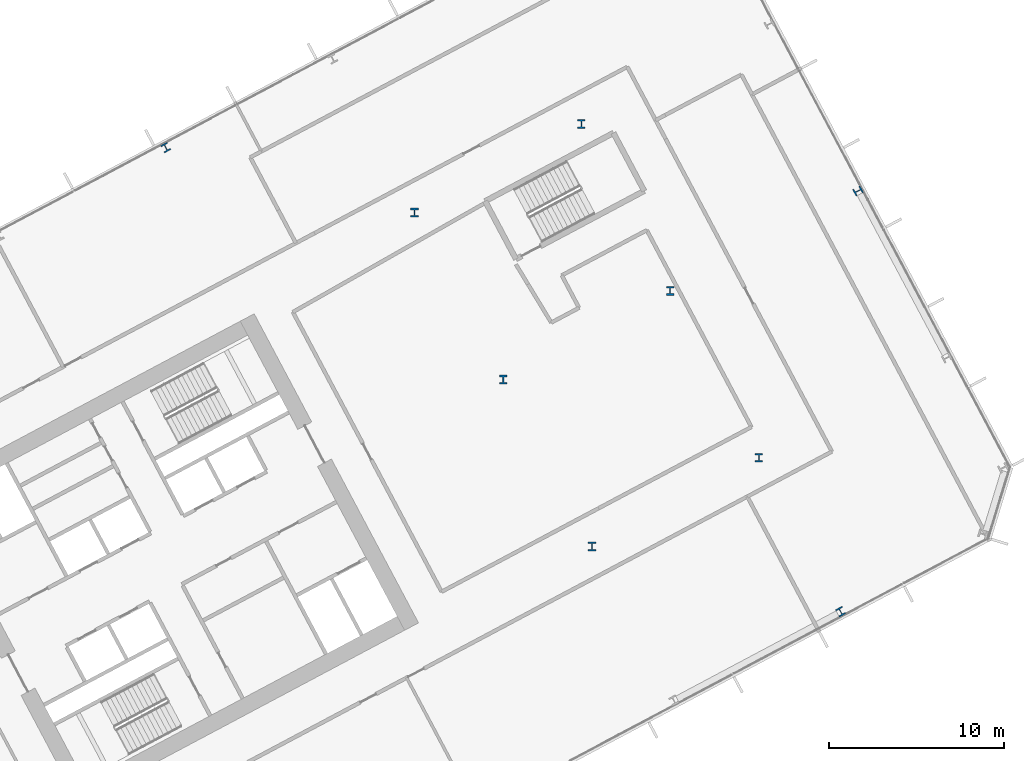
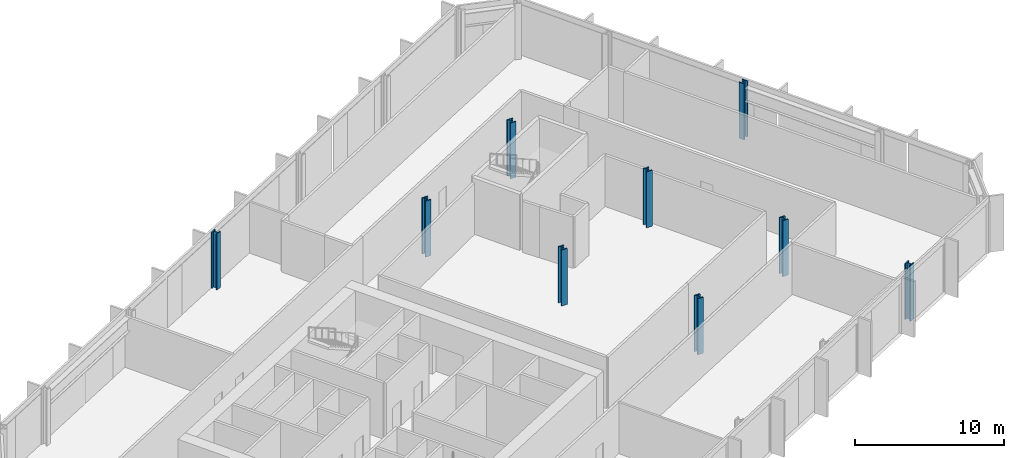
# One storey, part 4 of 30: 9 columns.
"""IFC4 building model written with IfcOpenShell, lengths in metres."""

from ifc_helpers import new_model, si_unit, direction, frame, origin, origin_2d, place, context, subcontext, project, spatial, i_section, extrude, material, material_profile, profile_set, type_object, element, save


model = new_model("IFC4")

# Units and contexts
model_context = context("Model", 3, precision=1e-05, world=origin(), true_north=direction((0.0, 1.0)))
body_context = subcontext(model_context, "Body", "Model", "MODEL_VIEW")
ifc_project = project(units=[si_unit("LENGTHUNIT", "METRE"), si_unit("AREAUNIT", "SQUARE_METRE"), si_unit("VOLUMEUNIT", "CUBIC_METRE"), si_unit("PLANEANGLEUNIT", "RADIAN"), si_unit("MASSUNIT", "GRAM", prefix="KILO")], contexts=[model_context])

# Site, building, storey
site_placement = place(None, origin())
site = spatial("IfcSite", under=ifc_project, at=site_placement, CompositionType="ELEMENT")
building_placement = place(site_placement, origin())
building = spatial("IfcBuilding", under=site, at=building_placement, Name="Cormorant Relay Tower", CompositionType="ELEMENT")
storey_placement = place(building_placement, frame((0.0, 0.0, 84.60009765625)))
storey = spatial("IfcBuildingStorey", under=building, at=storey_placement, Name="L16", CompositionType="ELEMENT", Elevation=84.60009765625)

# Columns
ifc_material_1 = material(Name="Steel ASTM A992 (Fy 345 MPa)", Category="steel")
ifc_material_profile_1 = material_profile(ifc_material_1, i_section(OverallWidth=0.42431640625, OverallDepth=0.47509765625, WebThickness=0.0478515625, FlangeThickness=0.0771484375, FilletRadius=0.014892578125, at=origin_2d()), Name="W360x634")
ifc_profile_set_1 = profile_set([ifc_material_profile_1], Name="Steel ASTM A992 (Fy 345 MPa)")
column_type_1 = type_object("IfcColumnType", Name="Column W360x634", PredefinedType="COLUMN", material=ifc_profile_set_1)
for number, where, z_axis, x_axis, name in (
    (1, (62.3701171875, 9.65087890625, 0.0), (0.0, 0.0, 1.0), (0.882947592859, 0.469471562786, 0.0), "Column L16-020"),
    (2, (63.360107421875, 33.68896484375, 0.0), (0.0, 0.0, 1.0), (-0.469471562786, 0.882947592859, 0.0), "Column L16-042"),
    (3, (23.805908203125, 36.169921875, 0.0), (0.0, 0.0, 1.0), (-0.882947592859, -0.469471562786, 0.0), "Column L16-044"),
):
    element("IfcColumn", number, at=place(storey_placement, frame(where, z_axis=z_axis, x_axis=x_axis)), inside=storey, type_object=column_type_1, Name=name, PredefinedType="COLUMN", context=body_context, shape_type="SweptSolid", body=[
        extrude(i_section(OverallWidth=0.42431640625, OverallDepth=0.47509765625, WebThickness=0.0478515625, FlangeThickness=0.0771484375, FilletRadius=0.014892578125, at=origin_2d()), origin(), (0.0, 0.0, 1.0), 4.599853515625),
    ])
ifc_material_2 = material(Name="Steel ASTM A992 (Fy 345 MPa)", Category="steel")
ifc_material_profile_2 = material_profile(ifc_material_2, i_section(OverallWidth=0.43701171875, OverallDepth=0.51318359375, WebThickness=0.060546875, FlangeThickness=0.096923828125, FilletRadius=0.015380859375, at=origin_2d()), Name="W360x818")
ifc_profile_set_2 = profile_set([ifc_material_profile_2], Name="Steel ASTM A992 (Fy 345 MPa)")
column_type_2 = type_object("IfcColumnType", Name="Column W360x818", PredefinedType="COLUMN", material=ifc_profile_set_2)
for number, where, z_axis, x_axis, name in (
    (4, (48.157958984375, 13.3740234375, 0.0), (0.0, 0.0, 1.0), (1.0, 0.0, 0.0), "Column L16-025"),
    (5, (57.694091796875, 18.445068359375, 0.0), (0.0, 0.0, 1.0), (1.0, 0.0, 0.0), "Column L16-029"),
    (6, (43.087890625, 22.909912109375, 0.0), (0.0, 0.0, 1.0), (1.0, 0.0, 0.0), "Column L16-031"),
    (7, (52.6240234375, 27.98095703125, 0.0), (0.0, 0.0, 1.0), (1.0, 0.0, 0.0), "Column L16-037"),
    (8, (38.01806640625, 32.446044921875, 0.0), (0.0, 0.0, 1.0), (1.0, 0.0, 0.0), "Column L16-040"),
    (9, (47.552978515625, 37.51611328125, 0.0), (0.0, 0.0, 1.0), (1.0, 0.0, 0.0), "Column L16-045"),
):
    element("IfcColumn", number, at=place(storey_placement, frame(where, z_axis=z_axis, x_axis=x_axis)), inside=storey, type_object=column_type_2, Name=name, PredefinedType="COLUMN", context=body_context, shape_type="SweptSolid", body=[
        extrude(i_section(OverallWidth=0.43701171875, OverallDepth=0.51318359375, WebThickness=0.060546875, FlangeThickness=0.096923828125, FilletRadius=0.015380859375, at=origin_2d()), origin(), (0.0, 0.0, 1.0), 4.599853515625),
    ])

save(model, "model.ifc")
